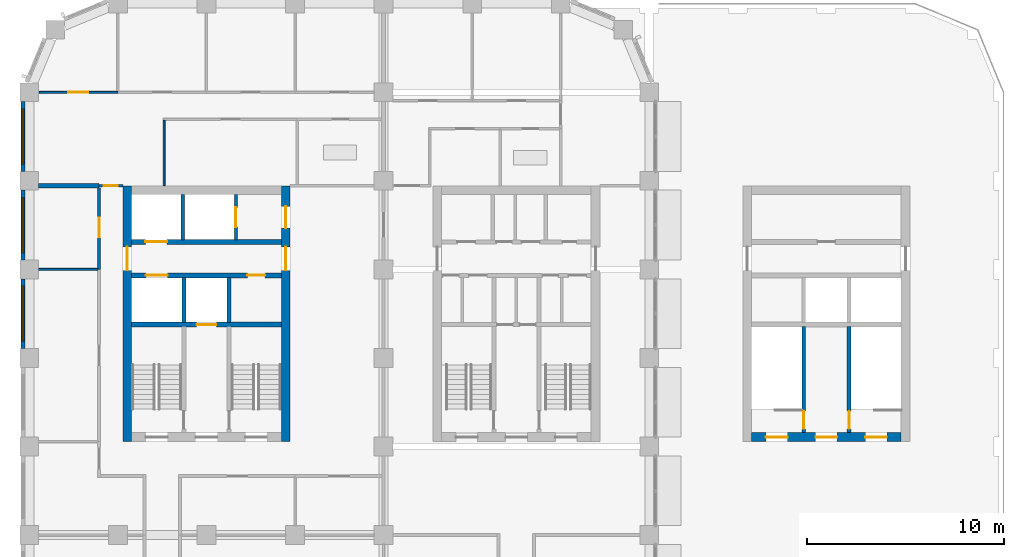
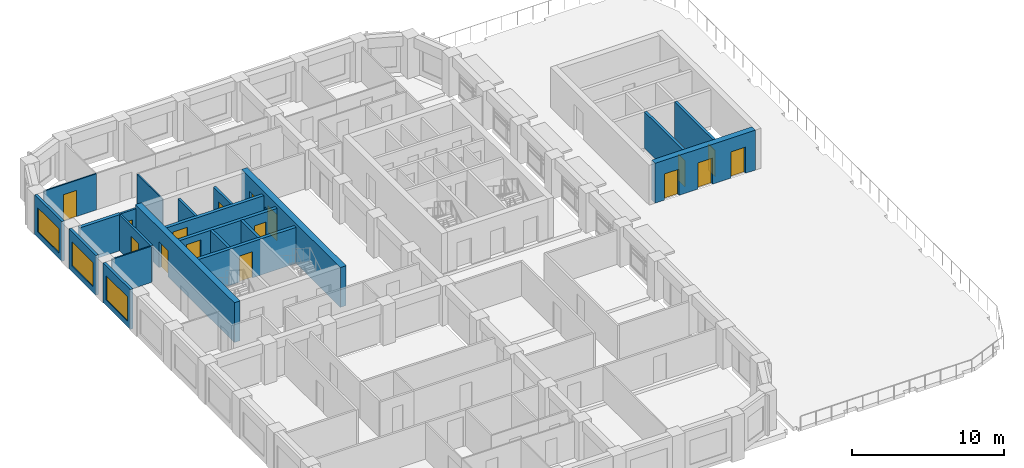
# One storey, part 9 of 15: 21 walls, 16 doors, 3 windows, 19 openings.
"""IFC4 building model written with IfcOpenShell, lengths in metres."""

from ifc_helpers import new_model, si_unit, direction, frame, frame_2d, origin, place, context, subcontext, project, spatial, rectangle, extrude, material, layer, layer_set, type_object, element, fill, save


model = new_model("IFC4")

# Units and contexts
model_context = context("Model", 3, precision=1e-05, world=origin(), true_north=direction((0.0, 1.0)))
body_context = subcontext(model_context, "Body", "Model", "MODEL_VIEW")
ifc_project = project(units=[si_unit("LENGTHUNIT", "METRE"), si_unit("AREAUNIT", "SQUARE_METRE"), si_unit("VOLUMEUNIT", "CUBIC_METRE"), si_unit("PLANEANGLEUNIT", "RADIAN"), si_unit("MASSUNIT", "GRAM", prefix="KILO")], contexts=[model_context])

# Site, building, storey
site_placement = place(None, origin())
site = spatial("IfcSite", under=ifc_project, at=site_placement, CompositionType="ELEMENT")
building_placement = place(site_placement, origin())
building = spatial("IfcBuilding", under=site, at=building_placement, Name="Girih Gate Residences", CompositionType="ELEMENT")
storey_placement = place(building_placement, frame((0.0, 0.0, 176.300048828125)))
storey = spatial("IfcBuildingStorey", under=building, at=storey_placement, Name="L48", CompositionType="ELEMENT", Elevation=176.300048828125)

# Wall
ifc_material_1 = material(Name="Gypsum board on steel studs", Category="steel")
ifc_layer_1 = layer(ifc_material_1, 0.25)
ifc_layer_set_1 = layer_set([ifc_layer_1], Name="Acoustic separating wall 250 mm")
wall_type_1 = type_object("IfcWallType", Name="Acoustic separating wall 250 mm", PredefinedType="PARTITIONING", material=ifc_layer_set_1)
wall_1_placement = place(storey_placement, frame((0.47509765625, 40.25, 0.0), z_axis=(0.0, 0.0, 1.0), x_axis=(1.0, 0.0, 0.0)))
element("IfcWall", 1, at=wall_1_placement, inside=storey, type_object=wall_type_1, Name="L48 partition", PredefinedType="PARTITIONING", context=body_context, shape_type="SweptSolid", body=[
    extrude(rectangle(XDim=3.074951171875, YDim=0.25, at=frame_2d((1.53759765625, 0.0))), origin(), (0.0, 0.0, 1.0), 2.89990234375),
])

# Wall, opening, door
ifc_layer_2 = layer(ifc_material_1, 0.14990234375)
ifc_layer_set_2 = layer_set([ifc_layer_2], Name="Compartment wall 150 mm")
wall_type_2 = type_object("IfcWallType", Name="Compartment wall 150 mm", PredefinedType="PARTITIONING", material=ifc_layer_set_2)
wall_2_placement = place(storey_placement, frame((3.550048828125, 40.25, 0.0), z_axis=(0.0, 0.0, 1.0), x_axis=(1.0, 0.0, 0.0)))
wall_2 = element("IfcWall", 2, at=wall_2_placement, inside=storey, type_object=wall_type_2, Name="L48 partition", PredefinedType="PARTITIONING", context=body_context, shape_type="SweptSolid", body=[
    extrude(rectangle(XDim=1.199951171875, YDim=0.14990234375, at=frame_2d((0.60009765625, 0.0))), origin(), (0.0, 0.0, 1.0), 2.89990234375),
])
opening_1_placement = place(wall_2_placement, frame((0.239990234375, 0.0, 0.0)))
opening_1 = element("IfcOpeningElement", 3, at=opening_1_placement, cuts=wall_2, Name="Opening A48-013", PredefinedType="OPENING", context=body_context, shape_type="SweptSolid", body=[
    extrude(rectangle(XDim=0.699951171875, YDim=2.10009765625, at=frame_2d((0.35009765625, 1.050048828125))), frame((0.0, 0.0849609375, 0.0), z_axis=(0.0, -1.0, 0.0), x_axis=(1.0, 0.0, 0.0)), (0.0, 0.0, 1.0), 0.169921875),
])
ifc_material_2 = material(Name="Timber", Category="wood")
door_type_1 = type_object("IfcDoorType", Name="Narrow door 700x2100", OperationType="NOTDEFINED", PredefinedType="DOOR", material=ifc_material_2)
door_1_placement = place(opening_1_placement, origin())
door_1 = element("IfcDoor", 4, at=door_1_placement, inside=storey, type_object=door_type_1, Name="Door A48-013", OperationType="SINGLE_SWING_LEFT", OverallHeight=2.10009765625, OverallWidth=0.699951171875, PredefinedType="DOOR", context=body_context, shape_type="SweptSolid", body=[
    extrude(rectangle(XDim=0.699951171875, YDim=2.10009765625, at=frame_2d((0.35009765625, 1.050048828125))), frame((0.0, 0.02490234375, 0.0), z_axis=(0.0, -1.0, 0.0), x_axis=(1.0, 0.0, 0.0)), (0.0, 0.0, 1.0), 0.050048828125),
])
fill(opening_1, door_1)

wall_3_placement = place(storey_placement, frame((3.550048828125, 36.0, 0.0), z_axis=(0.0, 0.0, 1.0), x_axis=(0.0, 1.0, 0.0)))
wall_3 = element("IfcWall", 5, at=wall_3_placement, inside=storey, type_object=wall_type_2, Name="L48 partition", PredefinedType="PARTITIONING", context=body_context, shape_type="SweptSolid", body=[
    extrude(rectangle(XDim=4.125, YDim=0.14990234375, at=frame_2d((2.0625, 0.0))), origin(), (0.0, 0.0, 1.0), 2.89990234375),
])
opening_2_placement = place(wall_3_placement, frame((1.625, 0.0, 0.0)))
opening_2 = element("IfcOpeningElement", 6, at=opening_2_placement, cuts=wall_3, Name="Opening A48-032", PredefinedType="OPENING", context=body_context, shape_type="SweptSolid", body=[
    extrude(rectangle(XDim=1.0, YDim=2.10009765625, at=frame_2d((0.5, 1.050048828125))), frame((0.0, 0.0849609375, 0.0), z_axis=(0.0, -1.0, 0.0), x_axis=(1.0, 0.0, 0.0)), (0.0, 0.0, 1.0), 0.169921875),
])
ifc_material_3 = material(Name="Timber, fire-rated core", Category="wood")
door_type_2 = type_object("IfcDoorType", Name="Amenity room door 1000x2100 FD30S", OperationType="NOTDEFINED", PredefinedType="DOOR", material=ifc_material_3)
door_2_placement = place(opening_2_placement, origin())
door_2 = element("IfcDoor", 7, at=door_2_placement, inside=storey, type_object=door_type_2, Name="Door A48-032", OperationType="SINGLE_SWING_RIGHT", OverallHeight=2.10009765625, OverallWidth=1.0, PredefinedType="DOOR", context=body_context, shape_type="SweptSolid", body=[
    extrude(rectangle(XDim=1.0, YDim=2.10009765625, at=frame_2d((0.5, 1.050048828125))), frame((0.0, 0.02490234375, 0.0), z_axis=(0.0, -1.0, 0.0), x_axis=(1.0, 0.0, 0.0)), (0.0, 0.0, 1.0), 0.050048828125),
])
fill(opening_2, door_2)

ifc_material_4 = material(Name="Concrete C60/75", Category="concrete")
ifc_layer_3 = layer(ifc_material_4, 0.449951171875)
ifc_layer_set_3 = layer_set([ifc_layer_3], Name="Core wall RC 450 Concrete C60/75")
wall_type_3 = type_object("IfcWallType", Name="Core wall RC 450 Concrete C60/75", PredefinedType="SOLIDWALL", material=ifc_layer_set_3)
wall_4_placement = place(storey_placement, frame((4.97509765625, 27.25, 0.0), z_axis=(0.0, 0.0, 1.0), x_axis=(0.0, 1.0, 0.0)))
wall_4 = element("IfcWall", 8, at=wall_4_placement, inside=storey, type_object=wall_type_3, Name="Core wall W-W L48", PredefinedType="SOLIDWALL", context=body_context, shape_type="SweptSolid", body=[
    extrude(rectangle(XDim=13.0, YDim=0.449951171875, at=frame_2d((6.5, 0.0))), origin(), (0.0, 0.0, 1.0), 3.199951171875),
])
opening_3_placement = place(wall_4_placement, frame((8.699951171875, 0.0, 0.0)))
opening_3 = element("IfcOpeningElement", 9, at=opening_3_placement, cuts=wall_4, Name="Opening D-L48-W-012", PredefinedType="OPENING", context=body_context, shape_type="SweptSolid", body=[
    extrude(rectangle(XDim=1.199951171875, YDim=2.10009765625, at=frame_2d((0.60009765625, 1.050048828125))), frame((0.0, 0.23486328125, 0.0), z_axis=(0.0, -1.0, 0.0), x_axis=(1.0, 0.0, 0.0)), (0.0, 0.0, 1.0), 0.469970703125),
])
ifc_material_5 = material(Name="Painted steel, fire-resisting", Category="steel")
door_type_3 = type_object("IfcDoorType", Name="Fire door 1200x2100", OperationType="SINGLE_SWING_LEFT", PredefinedType="DOOR", material=ifc_material_5)
door_3_placement = place(opening_3_placement, origin())
door_3 = element("IfcDoor", 10, at=door_3_placement, inside=storey, type_object=door_type_3, Name="L48 W core door ll-w", OperationType="SINGLE_SWING_LEFT", OverallHeight=2.10009765625, OverallWidth=1.199951171875, PredefinedType="DOOR", context=body_context, shape_type="SweptSolid", body=[
    extrude(rectangle(XDim=1.199951171875, YDim=2.10009765625, at=frame_2d((0.60009765625, 1.050048828125))), frame((0.0, 0.02490234375, 0.0), z_axis=(0.0, -1.0, 0.0), x_axis=(1.0, 0.0, 0.0)), (0.0, 0.0, 1.0), 0.050048828125),
])
fill(opening_3, door_3)

# Wall, openings, doors
wall_5_placement = place(storey_placement, frame((13.02490234375, 27.25, 0.0), z_axis=(0.0, 0.0, 1.0), x_axis=(0.0, 1.0, 0.0)))
wall_5 = element("IfcWall", 11, at=wall_5_placement, inside=storey, type_object=wall_type_3, Name="Core wall W-E L48", PredefinedType="SOLIDWALL", context=body_context, shape_type="SweptSolid", body=[
    extrude(rectangle(XDim=13.0, YDim=0.449951171875, at=frame_2d((6.5, 0.0))), origin(), (0.0, 0.0, 1.0), 3.199951171875),
])
opening_4_placement = place(wall_5_placement, frame((10.85009765625, 0.0, 0.0)))
opening_4 = element("IfcOpeningElement", 12, at=opening_4_placement, cuts=wall_5, Name="Opening D-L48-W-011", PredefinedType="OPENING", context=body_context, shape_type="SweptSolid", body=[
    extrude(rectangle(XDim=1.10009765625, YDim=2.10009765625, at=frame_2d((0.550048828125, 1.050048828125))), frame((0.0, 0.23486328125, 0.0), z_axis=(0.0, -1.0, 0.0), x_axis=(1.0, 0.0, 0.0)), (0.0, 0.0, 1.0), 0.469970703125),
])
opening_5_placement = place(wall_5_placement, frame((8.699951171875, 0.0, 0.0)))
opening_5 = element("IfcOpeningElement", 13, at=opening_5_placement, cuts=wall_5, Name="Opening D-L48-W-013", PredefinedType="OPENING", context=body_context, shape_type="SweptSolid", body=[
    extrude(rectangle(XDim=1.199951171875, YDim=2.10009765625, at=frame_2d((0.60009765625, 1.050048828125))), frame((0.0, 0.23486328125, 0.0), z_axis=(0.0, -1.0, 0.0), x_axis=(1.0, 0.0, 0.0)), (0.0, 0.0, 1.0), 0.469970703125),
])
door_type_4 = type_object("IfcDoorType", Name="Fire door 1100x2100", OperationType="SINGLE_SWING_LEFT", PredefinedType="DOOR", material=ifc_material_5)
door_4_placement = place(opening_4_placement, origin())
door_4 = element("IfcDoor", 14, at=door_4_placement, inside=storey, type_object=door_type_4, Name="L48 W core door ffl2-e", OperationType="SINGLE_SWING_LEFT", OverallHeight=2.10009765625, OverallWidth=1.10009765625, PredefinedType="DOOR", context=body_context, shape_type="SweptSolid", body=[
    extrude(rectangle(XDim=1.10009765625, YDim=2.10009765625, at=frame_2d((0.550048828125, 1.050048828125))), frame((0.0, 0.02490234375, 0.0), z_axis=(0.0, -1.0, 0.0), x_axis=(1.0, 0.0, 0.0)), (0.0, 0.0, 1.0), 0.050048828125),
])
fill(opening_4, door_4)
door_5_placement = place(opening_5_placement, origin())
door_5 = element("IfcDoor", 15, at=door_5_placement, inside=storey, type_object=door_type_3, Name="L48 W core door ll-e", OperationType="SINGLE_SWING_LEFT", OverallHeight=2.10009765625, OverallWidth=1.199951171875, PredefinedType="DOOR", context=body_context, shape_type="SweptSolid", body=[
    extrude(rectangle(XDim=1.199951171875, YDim=2.10009765625, at=frame_2d((0.60009765625, 1.050048828125))), frame((0.0, 0.02490234375, 0.0), z_axis=(0.0, -1.0, 0.0), x_axis=(1.0, 0.0, 0.0)), (0.0, 0.0, 1.0), 0.050048828125),
])
fill(opening_5, door_5)

wall_6_placement = place(storey_placement, frame((36.699951171875, 27.47509765625, 0.0), z_axis=(0.0, 0.0, 1.0), x_axis=(1.0, 0.0, 0.0)))
wall_6 = element("IfcWall", 16, at=wall_6_placement, inside=storey, type_object=wall_type_3, Name="Core wall E-S L48", PredefinedType="SOLIDWALL", context=body_context, shape_type="SweptSolid", body=[
    extrude(rectangle(XDim=7.60009765625, YDim=0.449951171875, at=frame_2d((3.800048828125, 0.0))), origin(), (0.0, 0.0, 1.0), 3.199951171875),
])
opening_6_placement = place(wall_6_placement, frame((5.77490234375, 0.0, 0.0)))
opening_6 = element("IfcOpeningElement", 17, at=opening_6_placement, cuts=wall_6, Name="Opening D-L48-E-004", PredefinedType="OPENING", context=body_context, shape_type="SweptSolid", body=[
    extrude(rectangle(XDim=1.10009765625, YDim=2.10009765625, at=frame_2d((0.550048828125, 1.050048828125))), frame((0.0, 0.23486328125, 0.0), z_axis=(0.0, -1.0, 0.0), x_axis=(1.0, 0.0, 0.0)), (0.0, 0.0, 1.0), 0.469970703125),
])
opening_7_placement = place(wall_6_placement, frame((3.25, 0.0, 0.0)))
opening_7 = element("IfcOpeningElement", 18, at=opening_7_placement, cuts=wall_6, Name="Opening D-L48-E-005", PredefinedType="OPENING", context=body_context, shape_type="SweptSolid", body=[
    extrude(rectangle(XDim=1.10009765625, YDim=2.10009765625, at=frame_2d((0.550048828125, 1.050048828125))), frame((0.0, 0.23486328125, 0.0), z_axis=(0.0, -1.0, 0.0), x_axis=(1.0, 0.0, 0.0)), (0.0, 0.0, 1.0), 0.469970703125),
])
opening_8_placement = place(wall_6_placement, frame((0.72509765625, 0.0, 0.0)))
opening_8 = element("IfcOpeningElement", 19, at=opening_8_placement, cuts=wall_6, Name="Opening D-L48-E-006", PredefinedType="OPENING", context=body_context, shape_type="SweptSolid", body=[
    extrude(rectangle(XDim=1.10009765625, YDim=2.10009765625, at=frame_2d((0.550048828125, 1.050048828125))), frame((0.0, 0.23486328125, 0.0), z_axis=(0.0, -1.0, 0.0), x_axis=(1.0, 0.0, 0.0)), (0.0, 0.0, 1.0), 0.469970703125),
])
door_6_placement = place(opening_6_placement, origin())
door_6 = element("IfcDoor", 20, at=door_6_placement, inside=storey, type_object=door_type_4, Name="L48 E core door sta-out", OperationType="SINGLE_SWING_LEFT", OverallHeight=2.10009765625, OverallWidth=1.10009765625, PredefinedType="DOOR", context=body_context, shape_type="SweptSolid", body=[
    extrude(rectangle(XDim=1.10009765625, YDim=2.10009765625, at=frame_2d((0.550048828125, 1.050048828125))), frame((0.0, 0.02490234375, 0.0), z_axis=(0.0, -1.0, 0.0), x_axis=(1.0, 0.0, 0.0)), (0.0, 0.0, 1.0), 0.050048828125),
])
fill(opening_6, door_6)
door_7_placement = place(opening_7_placement, origin())
door_7 = element("IfcDoor", 21, at=door_7_placement, inside=storey, type_object=door_type_4, Name="L48 E core door ffl-out", OperationType="SINGLE_SWING_LEFT", OverallHeight=2.10009765625, OverallWidth=1.10009765625, PredefinedType="DOOR", context=body_context, shape_type="SweptSolid", body=[
    extrude(rectangle(XDim=1.10009765625, YDim=2.10009765625, at=frame_2d((0.550048828125, 1.050048828125))), frame((0.0, 0.02490234375, 0.0), z_axis=(0.0, -1.0, 0.0), x_axis=(1.0, 0.0, 0.0)), (0.0, 0.0, 1.0), 0.050048828125),
])
fill(opening_7, door_7)
door_8_placement = place(opening_8_placement, origin())
door_8 = element("IfcDoor", 22, at=door_8_placement, inside=storey, type_object=door_type_4, Name="L48 E core door stb-out", OperationType="SINGLE_SWING_LEFT", OverallHeight=2.10009765625, OverallWidth=1.10009765625, PredefinedType="DOOR", context=body_context, shape_type="SweptSolid", body=[
    extrude(rectangle(XDim=1.10009765625, YDim=2.10009765625, at=frame_2d((0.550048828125, 1.050048828125))), frame((0.0, 0.02490234375, 0.0), z_axis=(0.0, -1.0, 0.0), x_axis=(1.0, 0.0, 0.0)), (0.0, 0.0, 1.0), 0.050048828125),
])
fill(opening_8, door_8)

# Wall, opening, door
ifc_material_6 = material(Name="Concrete C40/50", Category="concrete")
ifc_layer_4 = layer(ifc_material_6, 0.25)
ifc_layer_set_4 = layer_set([ifc_layer_4], Name="Lift shaft wall 250")
wall_type_4 = type_object("IfcWallType", Name="Lift shaft wall 250", PredefinedType="SOLIDWALL", material=ifc_layer_set_4)
wall_7_placement = place(storey_placement, frame((5.199951171875, 33.199951171875, 0.0), z_axis=(0.0, 0.0, 1.0), x_axis=(1.0, 0.0, 0.0)))
wall_7 = element("IfcWall", 23, at=wall_7_placement, inside=storey, type_object=wall_type_4, Name="L48 W core wall H1", PredefinedType="SOLIDWALL", context=body_context, shape_type="SweptSolid", body=[
    extrude(rectangle(XDim=7.60009765625, YDim=0.25, at=frame_2d((3.800048828125, 0.0))), origin(), (0.0, 0.0, 1.0), 2.89990234375),
])
opening_9_placement = place(wall_7_placement, frame((3.300048828125, 0.0, 0.0)))
opening_9 = element("IfcOpeningElement", 24, at=opening_9_placement, cuts=wall_7, Name="Opening D-L48-W-006", PredefinedType="OPENING", context=body_context, shape_type="SweptSolid", body=[
    extrude(rectangle(XDim=1.0, YDim=2.10009765625, at=frame_2d((0.5, 1.050048828125))), frame((0.0, 0.135009765625, 0.0), z_axis=(0.0, -1.0, 0.0), x_axis=(1.0, 0.0, 0.0)), (0.0, 0.0, 1.0), 0.27001953125),
])
ifc_material_7 = material(Name="Stainless steel, fire-resisting", Category="steel")
door_type_5 = type_object("IfcDoorType", Name="Firefighting lift landing door 1000x2100", OperationType="SLIDING_TO_LEFT", PredefinedType="DOOR", material=ifc_material_7)
door_9_placement = place(opening_9_placement, origin())
door_9 = element("IfcDoor", 25, at=door_9_placement, inside=storey, type_object=door_type_5, Name="L48 lift FF-W landing door", OperationType="SLIDING_TO_LEFT", OverallHeight=2.10009765625, OverallWidth=1.0, PredefinedType="DOOR", context=body_context, shape_type="SweptSolid", body=[
    extrude(rectangle(XDim=1.0, YDim=2.10009765625, at=frame_2d((0.5, 1.050048828125))), frame((0.0, 0.02490234375, 0.0), z_axis=(0.0, -1.0, 0.0), x_axis=(1.0, 0.0, 0.0)), (0.0, 0.0, 1.0), 0.050048828125),
])
fill(opening_9, door_9)

# Wall, openings, doors
wall_8_placement = place(storey_placement, frame((5.199951171875, 35.699951171875, 0.0), z_axis=(0.0, 0.0, 1.0), x_axis=(1.0, 0.0, 0.0)))
wall_8 = element("IfcWall", 26, at=wall_8_placement, inside=storey, type_object=wall_type_4, Name="L48 W core wall H2", PredefinedType="SOLIDWALL", context=body_context, shape_type="SweptSolid", body=[
    extrude(rectangle(XDim=7.60009765625, YDim=0.25, at=frame_2d((3.800048828125, 0.0))), origin(), (0.0, 0.0, 1.0), 2.89990234375),
])
opening_10_placement = place(wall_8_placement, frame((0.72509765625, 0.0, 0.0)))
opening_10 = element("IfcOpeningElement", 27, at=opening_10_placement, cuts=wall_8, Name="Opening D-L48-W-005", PredefinedType="OPENING", context=body_context, shape_type="SweptSolid", body=[
    extrude(rectangle(XDim=1.10009765625, YDim=2.39990234375, at=frame_2d((0.550048828125, 1.199951171875))), frame((0.0, 0.135009765625, 0.0), z_axis=(0.0, -1.0, 0.0), x_axis=(1.0, 0.0, 0.0)), (0.0, 0.0, 1.0), 0.27001953125),
])
opening_11_placement = place(wall_8_placement, frame((5.875, 0.0, 0.0)))
opening_11 = element("IfcOpeningElement", 28, at=opening_11_placement, cuts=wall_8, Name="Opening D-L48-W-007", PredefinedType="OPENING", context=body_context, shape_type="SweptSolid", body=[
    extrude(rectangle(XDim=0.89990234375, YDim=2.10009765625, at=frame_2d((0.449951171875, 1.050048828125))), frame((0.0, 0.135009765625, 0.0), z_axis=(0.0, -1.0, 0.0), x_axis=(1.0, 0.0, 0.0)), (0.0, 0.0, 1.0), 0.27001953125),
])
door_type_6 = type_object("IfcDoorType", Name="Fire door 900x2100", OperationType="SINGLE_SWING_LEFT", PredefinedType="DOOR", material=ifc_material_5)
door_10_placement = place(opening_11_placement, origin())
door_10 = element("IfcDoor", 29, at=door_10_placement, inside=storey, type_object=door_type_6, Name="L48 W cleaners store door", OperationType="SINGLE_SWING_LEFT", OverallHeight=2.10009765625, OverallWidth=0.89990234375, PredefinedType="DOOR", context=body_context, shape_type="SweptSolid", body=[
    extrude(rectangle(XDim=0.89990234375, YDim=2.10009765625, at=frame_2d((0.449951171875, 1.050048828125))), frame((0.0, 0.02490234375, 0.0), z_axis=(0.0, -1.0, 0.0), x_axis=(1.0, 0.0, 0.0)), (0.0, 0.0, 1.0), 0.050048828125),
])
fill(opening_11, door_10)
ifc_material_8 = material(Name="Stainless steel", Category="steel")
door_type_7 = type_object("IfcDoorType", Name="Lift landing door 1100x2400", OperationType="SLIDING_TO_LEFT", PredefinedType="DOOR", material=ifc_material_8)
door_11_placement = place(opening_10_placement, origin())
door_11 = element("IfcDoor", 30, at=door_11_placement, inside=storey, type_object=door_type_7, Name="L48 lift HR-W1 landing door", OperationType="SLIDING_TO_LEFT", OverallHeight=2.39990234375, OverallWidth=1.10009765625, PredefinedType="DOOR", context=body_context, shape_type="SweptSolid", body=[
    extrude(rectangle(XDim=1.10009765625, YDim=2.39990234375, at=frame_2d((0.550048828125, 1.199951171875))), frame((0.0, 0.02490234375, 0.0), z_axis=(0.0, -1.0, 0.0), x_axis=(1.0, 0.0, 0.0)), (0.0, 0.0, 1.0), 0.050048828125),
])
fill(opening_10, door_11)

# Wall, opening, door
wall_9_placement = place(storey_placement, frame((5.199951171875, 37.39990234375, 0.0), z_axis=(0.0, 0.0, 1.0), x_axis=(1.0, 0.0, 0.0)))
wall_9 = element("IfcWall", 31, at=wall_9_placement, inside=storey, type_object=wall_type_4, Name="L48 W core wall H3", PredefinedType="SOLIDWALL", context=body_context, shape_type="SweptSolid", body=[
    extrude(rectangle(XDim=7.60009765625, YDim=0.25, at=frame_2d((3.800048828125, 0.0))), origin(), (0.0, 0.0, 1.0), 2.89990234375),
])
opening_12_placement = place(wall_9_placement, frame((0.699951171875, 0.0, 0.0)))
opening_12 = element("IfcOpeningElement", 32, at=opening_12_placement, cuts=wall_9, Name="Opening D-L48-W-003", PredefinedType="OPENING", context=body_context, shape_type="SweptSolid", body=[
    extrude(rectangle(XDim=1.10009765625, YDim=2.39990234375, at=frame_2d((0.550048828125, 1.199951171875))), frame((0.0, 0.135009765625, 0.0), z_axis=(0.0, -1.0, 0.0), x_axis=(1.0, 0.0, 0.0)), (0.0, 0.0, 1.0), 0.27001953125),
])
door_12_placement = place(opening_12_placement, origin())
door_12 = element("IfcDoor", 33, at=door_12_placement, inside=storey, type_object=door_type_7, Name="L48 lift LR-W1 landing door", OperationType="SLIDING_TO_LEFT", OverallHeight=2.39990234375, OverallWidth=1.10009765625, PredefinedType="DOOR", context=body_context, shape_type="SweptSolid", body=[
    extrude(rectangle(XDim=1.10009765625, YDim=2.39990234375, at=frame_2d((0.550048828125, 1.199951171875))), frame((0.0, 0.02490234375, 0.0), z_axis=(0.0, -1.0, 0.0), x_axis=(1.0, 0.0, 0.0)), (0.0, 0.0, 1.0), 0.050048828125),
])
fill(opening_12, door_12)

# Wall
ifc_layer_5 = layer(ifc_material_1, 0.10009765625)
ifc_layer_set_5 = layer_set([ifc_layer_5], Name="Partition 100 mm")
wall_type_5 = type_object("IfcWallType", Name="Partition 100 mm", PredefinedType="PARTITIONING", material=ifc_layer_set_5)
wall_10_placement = place(storey_placement, frame((6.85009765625, 40.25, 0.0), z_axis=(0.0, 0.0, 1.0), x_axis=(0.0, 1.0, 0.0)))
element("IfcWall", 34, at=wall_10_placement, inside=storey, type_object=wall_type_5, Name="L48 partition", PredefinedType="PARTITIONING", context=body_context, shape_type="SweptSolid", body=[
    extrude(rectangle(XDim=3.320068359375, YDim=0.10009765625, at=frame_2d((1.66015625, 0.0))), origin(), (0.0, 0.0, 1.0), 2.89990234375),
])

# Wall, opening, door
wall_11_placement = place(storey_placement, frame((0.51416015625, 45.0, 0.0), z_axis=(0.0, 0.0, 1.0), x_axis=(1.0, 0.0, 0.0)))
wall_11 = element("IfcWall", 35, at=wall_11_placement, inside=storey, type_object=wall_type_5, Name="L48 partition", PredefinedType="PARTITIONING", context=body_context, shape_type="SweptSolid", body=[
    extrude(rectangle(XDim=3.98583984375, YDim=0.10009765625, at=frame_2d((1.992919921875, 0.0))), origin(), (0.0, 0.0, 1.0), 2.89990234375),
])
opening_13_placement = place(wall_11_placement, frame((1.473388671875, 0.0, 0.0)))
opening_13 = element("IfcOpeningElement", 36, at=opening_13_placement, cuts=wall_11, Name="Opening A48-012", PredefinedType="OPENING", context=body_context, shape_type="SweptSolid", body=[
    extrude(rectangle(XDim=1.0, YDim=2.10009765625, at=frame_2d((0.5, 1.050048828125))), frame((0.0, 0.06005859375, 0.0), z_axis=(0.0, -1.0, 0.0), x_axis=(1.0, 0.0, 0.0)), (0.0, 0.0, 1.0), 0.1201171875),
])
door_type_8 = type_object("IfcDoorType", Name="Living room door 1000x2100", OperationType="NOTDEFINED", PredefinedType="DOOR", material=ifc_material_2)
door_13_placement = place(opening_13_placement, origin())
door_13 = element("IfcDoor", 37, at=door_13_placement, inside=storey, type_object=door_type_8, Name="Door A48-012", OperationType="SINGLE_SWING_LEFT", OverallHeight=2.10009765625, OverallWidth=1.0, PredefinedType="DOOR", context=body_context, shape_type="SweptSolid", body=[
    extrude(rectangle(XDim=1.0, YDim=2.10009765625, at=frame_2d((0.5, 1.050048828125))), frame((0.0, 0.02490234375, 0.0), z_axis=(0.0, -1.0, 0.0), x_axis=(1.0, 0.0, 0.0)), (0.0, 0.0, 1.0), 0.050048828125),
])
fill(opening_13, door_13)

# Wall
wall_12_placement = place(storey_placement, frame((0.47509765625, 36.0, 0.0), z_axis=(0.0, 0.0, 1.0), x_axis=(1.0, 0.0, 0.0)))
element("IfcWall", 38, at=wall_12_placement, inside=storey, type_object=wall_type_5, Name="L48 partition", PredefinedType="PARTITIONING", context=body_context, shape_type="SweptSolid", body=[
    extrude(rectangle(XDim=3.0, YDim=0.10009765625, at=frame_2d((1.5, 0.0))), origin(), (0.0, 0.0, 1.0), 2.89990234375),
])

# Wall, opening, window
ifc_material_9 = material(Name="Precast concrete C50/60", Category="concrete")
ifc_layer_6 = layer(ifc_material_9, 0.06005859375, Name="Outer leaf")
ifc_material_10 = material(Name="Rigid PIR insulation")
ifc_layer_7 = layer(ifc_material_10, 0.090087890625, Name="Insulation")
ifc_material_11 = material(Name="Precast concrete C40/50", Category="concrete")
ifc_layer_8 = layer(ifc_material_11, 0.050048828125, Name="Inner leaf")
ifc_layer_set_6 = layer_set([ifc_layer_6, ifc_layer_7, ifc_layer_8], Name="Precast concrete C50/60 external wall 200")
wall_type_6 = type_object("IfcWallType", Name="Precast concrete C50/60 external wall 200", PredefinedType="SOLIDWALL", material=ifc_layer_set_6)
wall_13_placement = place(storey_placement, frame((-0.324951171875, 40.97509765625, 0.0), z_axis=(0.0, 0.0, 1.0), x_axis=(0.0, 1.0, 0.0)))
wall_13 = element("IfcWall", 39, at=wall_13_placement, inside=storey, type_object=wall_type_6, Name="External wall W0000_0450.0", PredefinedType="SOLIDWALL", context=body_context, shape_type="SweptSolid", body=[
    extrude(rectangle(XDim=3.5498046875, YDim=0.199951171875, at=frame_2d((1.77490234375, 0.0))), origin(), (0.0, 0.0, 1.0), 3.199951171875),
])
opening_14_placement = place(wall_13_placement, frame((0.375, 0.0, 0.449951171875)))
opening_14 = element("IfcOpeningElement", 40, at=opening_14_placement, cuts=wall_13, Name="Opening W-1B", PredefinedType="OPENING", context=body_context, shape_type="SweptSolid", body=[
    extrude(rectangle(XDim=2.800048828125, YDim=1.949951171875, at=frame_2d((1.39990234375, 0.97509765625))), frame((0.0, 0.10986328125, 0.0), z_axis=(0.0, -1.0, 0.0), x_axis=(1.0, 0.0, 0.0)), (0.0, 0.0, 1.0), 0.219970703125),
])
ifc_material_12 = material(Name="Double glazing in aluminium frame", Category="aluminium")
window_type = type_object("IfcWindowType", Name="Window W-1B 2800x1950", PartitioningType="SINGLE_PANEL", PredefinedType="WINDOW", material=ifc_material_12)
window_1_placement = place(opening_14_placement, origin())
window_1 = element("IfcWindow", 41, at=window_1_placement, inside=storey, type_object=window_type, Name="Window W-1B W0000_0450.0", OverallHeight=1.949951171875, OverallWidth=2.800048828125, PartitioningType="SINGLE_PANEL", PredefinedType="WINDOW", context=body_context, shape_type="SweptSolid", body=[
    extrude(rectangle(XDim=2.800048828125, YDim=1.949951171875, at=frame_2d((1.39990234375, 0.97509765625))), frame((0.0, 0.030029296875, 0.0), z_axis=(0.0, -1.0, 0.0), x_axis=(1.0, 0.0, 0.0)), (0.0, 0.0, 1.0), 0.06005859375),
])
fill(opening_14, window_1)

wall_14_placement = place(storey_placement, frame((-0.324951171875, 36.47509765625, 0.0), z_axis=(0.0, 0.0, 1.0), x_axis=(0.0, 1.0, 0.0)))
wall_14 = element("IfcWall", 42, at=wall_14_placement, inside=storey, type_object=wall_type_6, Name="External wall W0000_0450.1", PredefinedType="SOLIDWALL", context=body_context, shape_type="SweptSolid", body=[
    extrude(rectangle(XDim=3.5498046875, YDim=0.199951171875, at=frame_2d((1.77490234375, 0.0))), origin(), (0.0, 0.0, 1.0), 3.199951171875),
])
opening_15_placement = place(wall_14_placement, frame((0.375, 0.0, 0.449951171875)))
opening_15 = element("IfcOpeningElement", 43, at=opening_15_placement, cuts=wall_14, Name="Opening W-1B", PredefinedType="OPENING", context=body_context, shape_type="SweptSolid", body=[
    extrude(rectangle(XDim=2.800048828125, YDim=1.949951171875, at=frame_2d((1.39990234375, 0.97509765625))), frame((0.0, 0.10986328125, 0.0), z_axis=(0.0, -1.0, 0.0), x_axis=(1.0, 0.0, 0.0)), (0.0, 0.0, 1.0), 0.219970703125),
])
window_2_placement = place(opening_15_placement, origin())
window_2 = element("IfcWindow", 44, at=window_2_placement, inside=storey, type_object=window_type, Name="Window W-1B W0000_0450.1", OverallHeight=1.949951171875, OverallWidth=2.800048828125, PartitioningType="SINGLE_PANEL", PredefinedType="WINDOW", context=body_context, shape_type="SweptSolid", body=[
    extrude(rectangle(XDim=2.800048828125, YDim=1.949951171875, at=frame_2d((1.39990234375, 0.97509765625))), frame((0.0, 0.030029296875, 0.0), z_axis=(0.0, -1.0, 0.0), x_axis=(1.0, 0.0, 0.0)), (0.0, 0.0, 1.0), 0.06005859375),
])
fill(opening_15, window_2)

wall_15_placement = place(storey_placement, frame((-0.324951171875, 31.97509765625, 0.0), z_axis=(0.0, 0.0, 1.0), x_axis=(0.0, 1.0, 0.0)))
wall_15 = element("IfcWall", 45, at=wall_15_placement, inside=storey, type_object=wall_type_6, Name="External wall W0000_0450.2", PredefinedType="SOLIDWALL", context=body_context, shape_type="SweptSolid", body=[
    extrude(rectangle(XDim=3.5498046875, YDim=0.199951171875, at=frame_2d((1.77490234375, 0.0))), origin(), (0.0, 0.0, 1.0), 3.199951171875),
])
opening_16_placement = place(wall_15_placement, frame((0.375, 0.0, 0.449951171875)))
opening_16 = element("IfcOpeningElement", 46, at=opening_16_placement, cuts=wall_15, Name="Opening W-1B", PredefinedType="OPENING", context=body_context, shape_type="SweptSolid", body=[
    extrude(rectangle(XDim=2.800048828125, YDim=1.949951171875, at=frame_2d((1.39990234375, 0.97509765625))), frame((0.0, 0.10986328125, 0.0), z_axis=(0.0, -1.0, 0.0), x_axis=(1.0, 0.0, 0.0)), (0.0, 0.0, 1.0), 0.219970703125),
])
window_3_placement = place(opening_16_placement, origin())
window_3 = element("IfcWindow", 47, at=window_3_placement, inside=storey, type_object=window_type, Name="Window W-1B W0000_0450.2", OverallHeight=1.949951171875, OverallWidth=2.800048828125, PartitioningType="SINGLE_PANEL", PredefinedType="WINDOW", context=body_context, shape_type="SweptSolid", body=[
    extrude(rectangle(XDim=2.800048828125, YDim=1.949951171875, at=frame_2d((1.39990234375, 0.97509765625))), frame((0.0, 0.030029296875, 0.0), z_axis=(0.0, -1.0, 0.0), x_axis=(1.0, 0.0, 0.0)), (0.0, 0.0, 1.0), 0.06005859375),
])
fill(opening_16, window_3)

# Wall
ifc_layer_9 = layer(ifc_material_6, 0.175048828125)
ifc_layer_set_7 = layer_set([ifc_layer_9], Name="Riser shaft wall 175")
wall_type_7 = type_object("IfcWallType", Name="Riser shaft wall 175", PredefinedType="SOLIDWALL", material=ifc_layer_set_7)
wall_16_placement = place(storey_placement, frame((7.800048828125, 37.5, 0.0), z_axis=(0.0, 0.0, 1.0), x_axis=(0.0, 1.0, 0.0)))
element("IfcWall", 48, at=wall_16_placement, inside=storey, type_object=wall_type_7, Name="L48 W core wall V1c", PredefinedType="SOLIDWALL", context=body_context, shape_type="SweptSolid", body=[
    extrude(rectangle(XDim=2.300048828125, YDim=0.175048828125, at=frame_2d((1.14990234375, 0.0))), origin(), (0.0, 0.0, 1.0), 2.89990234375),
])

# Wall, opening, door
wall_17_placement = place(storey_placement, frame((10.5, 37.5, 0.0), z_axis=(0.0, 0.0, 1.0), x_axis=(0.0, 1.0, 0.0)))
wall_17 = element("IfcWall", 49, at=wall_17_placement, inside=storey, type_object=wall_type_7, Name="L48 W core wall V2c", PredefinedType="SOLIDWALL", context=body_context, shape_type="SweptSolid", body=[
    extrude(rectangle(XDim=2.300048828125, YDim=0.175048828125, at=frame_2d((1.14990234375, 0.0))), origin(), (0.0, 0.0, 1.0), 2.89990234375),
])
opening_17_placement = place(wall_17_placement, frame((0.64990234375, 0.0, 0.0)))
opening_17 = element("IfcOpeningElement", 50, at=opening_17_placement, cuts=wall_17, Name="Opening D-L48-W-004", PredefinedType="OPENING", context=body_context, shape_type="SweptSolid", body=[
    extrude(rectangle(XDim=1.0, YDim=2.10009765625, at=frame_2d((0.5, 1.050048828125))), frame((0.0, 0.097412109375, 0.0), z_axis=(0.0, -1.0, 0.0), x_axis=(1.0, 0.0, 0.0)), (0.0, 0.0, 1.0), 0.195068359375),
])
door_14_placement = place(opening_17_placement, origin())
door_14 = element("IfcDoor", 51, at=door_14_placement, inside=storey, type_object=door_type_5, Name="L48 lift FF-W2 landing door", OperationType="SLIDING_TO_LEFT", OverallHeight=2.10009765625, OverallWidth=1.0, PredefinedType="DOOR", context=body_context, shape_type="SweptSolid", body=[
    extrude(rectangle(XDim=1.0, YDim=2.10009765625, at=frame_2d((0.5, 1.050048828125))), frame((0.0, 0.02490234375, 0.0), z_axis=(0.0, -1.0, 0.0), x_axis=(1.0, 0.0, 0.0)), (0.0, 0.0, 1.0), 0.050048828125),
])
fill(opening_17, door_14)

# Walls
ifc_layer_10 = layer(ifc_material_6, 0.199951171875)
ifc_layer_set_8 = layer_set([ifc_layer_10], Name="Shaft wall 200")
wall_type_8 = type_object("IfcWallType", Name="Shaft wall 200", PredefinedType="SOLIDWALL", material=ifc_layer_set_8)
for number, where, z_axis, x_axis, name in (
    (52, (7.85009765625, 33.300048828125, 0.0), (0.0, 0.0, 1.0), (0.0, 1.0, 0.0), "L48 W core wall V1b"),
    (53, (10.14990234375, 33.300048828125, 0.0), (0.0, 0.0, 1.0), (0.0, 1.0, 0.0), "L48 W core wall V2b"),
):
    element("IfcWall", number, at=place(storey_placement, frame(where, z_axis=z_axis, x_axis=x_axis)), inside=storey, type_object=wall_type_8, Name=name, PredefinedType="SOLIDWALL", context=body_context, shape_type="SweptSolid", body=[
        extrude(rectangle(XDim=2.300048828125, YDim=0.199951171875, at=frame_2d((1.14990234375, 0.0))), origin(), (0.0, 0.0, 1.0), 2.89990234375),
    ])

# Wall, opening, door
wall_18_placement = place(storey_placement, frame((41.64990234375, 27.699951171875, 0.0), z_axis=(0.0, 0.0, 1.0), x_axis=(0.0, 1.0, 0.0)))
wall_18 = element("IfcWall", 54, at=wall_18_placement, inside=storey, type_object=wall_type_8, Name="L48 E core wall V1a", PredefinedType="SOLIDWALL", context=body_context, shape_type="SweptSolid", body=[
    extrude(rectangle(XDim=5.400146484375, YDim=0.199951171875, at=frame_2d((2.7001953125, 0.0))), origin(), (0.0, 0.0, 1.0), 2.89990234375),
])
opening_18_placement = place(wall_18_placement, frame((0.199951171875, 0.0, 0.0)))
opening_18 = element("IfcOpeningElement", 55, at=opening_18_placement, cuts=wall_18, Name="Opening D-L48-E-001", PredefinedType="OPENING", context=body_context, shape_type="SweptSolid", body=[
    extrude(rectangle(XDim=0.89990234375, YDim=2.10009765625, at=frame_2d((0.449951171875, 1.050048828125))), frame((0.0, 0.10986328125, 0.0), z_axis=(0.0, -1.0, 0.0), x_axis=(1.0, 0.0, 0.0)), (0.0, 0.0, 1.0), 0.219970703125),
])
door_15_placement = place(opening_18_placement, origin())
door_15 = element("IfcDoor", 56, at=door_15_placement, inside=storey, type_object=door_type_6, Name="L48 E door stair 1 to firefighting lobby", OperationType="SINGLE_SWING_LEFT", OverallHeight=2.10009765625, OverallWidth=0.89990234375, PredefinedType="DOOR", context=body_context, shape_type="SweptSolid", body=[
    extrude(rectangle(XDim=0.89990234375, YDim=2.10009765625, at=frame_2d((0.449951171875, 1.050048828125))), frame((0.0, 0.02490234375, 0.0), z_axis=(0.0, -1.0, 0.0), x_axis=(1.0, 0.0, 0.0)), (0.0, 0.0, 1.0), 0.050048828125),
])
fill(opening_18, door_15)

wall_19_placement = place(storey_placement, frame((39.35009765625, 27.699951171875, 0.0), z_axis=(0.0, 0.0, 1.0), x_axis=(0.0, 1.0, 0.0)))
wall_19 = element("IfcWall", 57, at=wall_19_placement, inside=storey, type_object=wall_type_8, Name="L48 E core wall V2a", PredefinedType="SOLIDWALL", context=body_context, shape_type="SweptSolid", body=[
    extrude(rectangle(XDim=5.400146484375, YDim=0.199951171875, at=frame_2d((2.7001953125, 0.0))), origin(), (0.0, 0.0, 1.0), 2.89990234375),
])
opening_19_placement = place(wall_19_placement, frame((0.199951171875, 0.0, 0.0)))
opening_19 = element("IfcOpeningElement", 58, at=opening_19_placement, cuts=wall_19, Name="Opening D-L48-E-002", PredefinedType="OPENING", context=body_context, shape_type="SweptSolid", body=[
    extrude(rectangle(XDim=0.89990234375, YDim=2.10009765625, at=frame_2d((0.449951171875, 1.050048828125))), frame((0.0, 0.10986328125, 0.0), z_axis=(0.0, -1.0, 0.0), x_axis=(1.0, 0.0, 0.0)), (0.0, 0.0, 1.0), 0.219970703125),
])
door_16_placement = place(opening_19_placement, origin())
door_16 = element("IfcDoor", 59, at=door_16_placement, inside=storey, type_object=door_type_6, Name="L48 E door stair 2 to firefighting lobby", OperationType="SINGLE_SWING_LEFT", OverallHeight=2.10009765625, OverallWidth=0.89990234375, PredefinedType="DOOR", context=body_context, shape_type="SweptSolid", body=[
    extrude(rectangle(XDim=0.89990234375, YDim=2.10009765625, at=frame_2d((0.449951171875, 1.050048828125))), frame((0.0, 0.02490234375, 0.0), z_axis=(0.0, -1.0, 0.0), x_axis=(1.0, 0.0, 0.0)), (0.0, 0.0, 1.0), 0.050048828125),
])
fill(opening_19, door_16)

save(model, "model.ifc")
